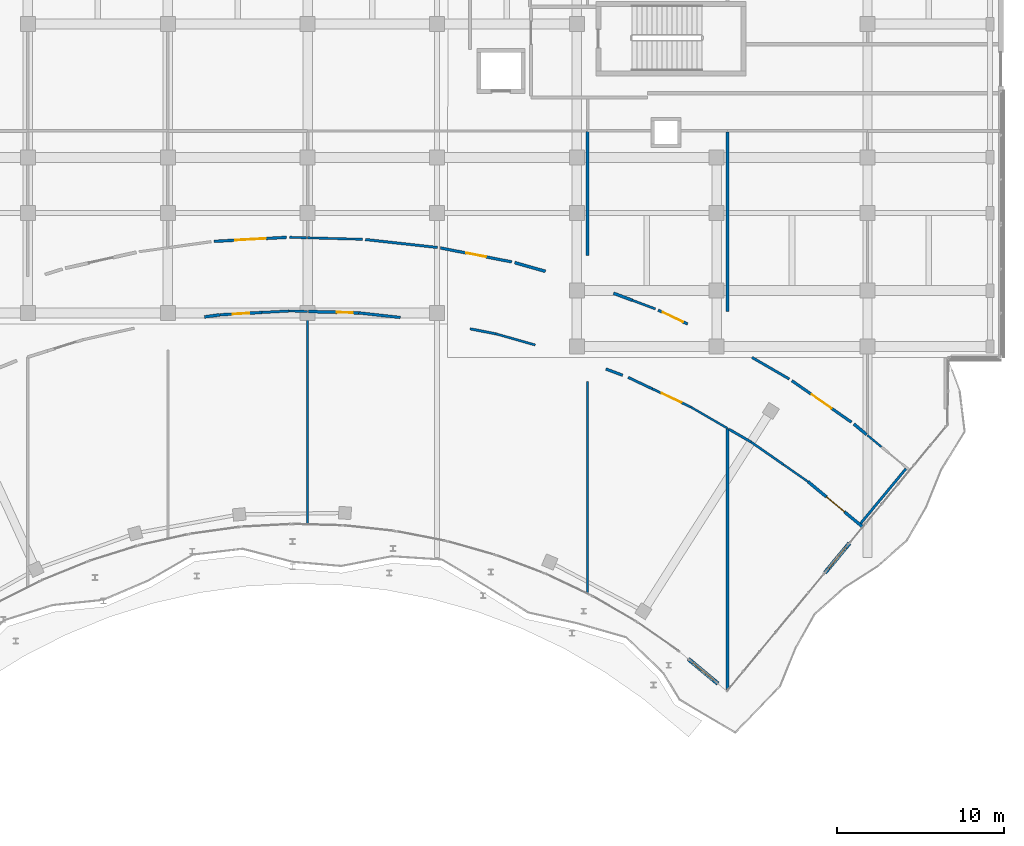
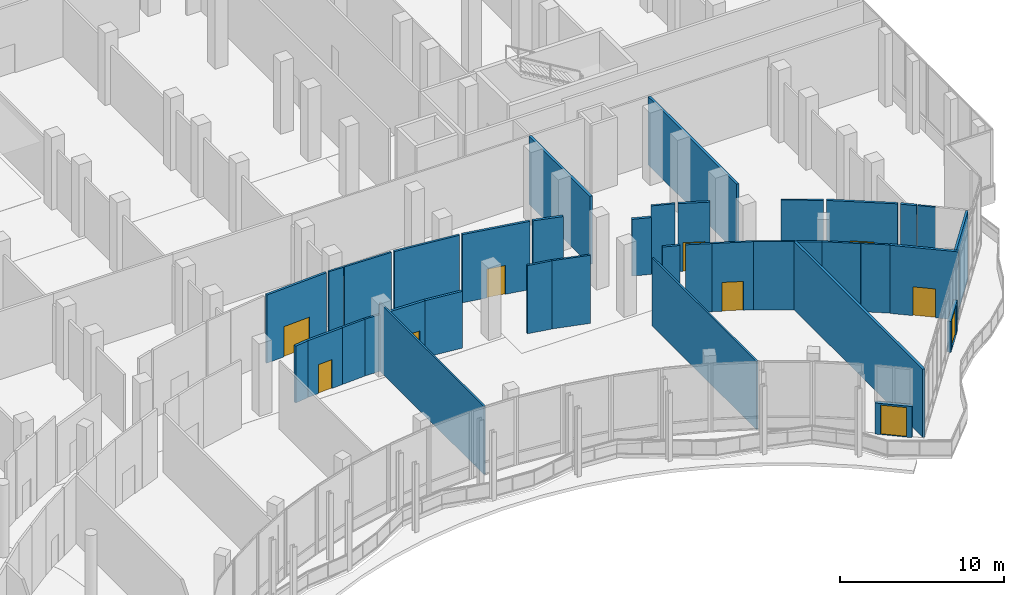
# One storey, part 143 of 158: 37 walls, 10 doors, 10 openings.
"""IFC4 building model written with IfcOpenShell, lengths in metres."""

from ifc_helpers import new_model, si_unit, direction, frame, frame_2d, origin, place, context, subcontext, project, spatial, rectangle, extrude, material, layer, layer_set, type_object, element, fill, save


model = new_model("IFC4")

# Units and contexts
model_context = context("Model", 3, precision=1e-05, world=origin(), true_north=direction((0.0, 1.0)))
body_context = subcontext(model_context, "Body", "Model", "MODEL_VIEW")
ifc_project = project(units=[si_unit("LENGTHUNIT", "METRE"), si_unit("AREAUNIT", "SQUARE_METRE"), si_unit("VOLUMEUNIT", "CUBIC_METRE"), si_unit("PLANEANGLEUNIT", "RADIAN"), si_unit("MASSUNIT", "GRAM", prefix="KILO")], contexts=[model_context])

# Site, building, storey
site_placement = place(None, origin())
site = spatial("IfcSite", under=ifc_project, at=site_placement, CompositionType="ELEMENT")
building_placement = place(site_placement, origin())
building = spatial("IfcBuilding", under=site, at=building_placement, Name="Selatvlak General Hospital", CompositionType="ELEMENT")
storey_placement = place(building_placement, origin())
storey = spatial("IfcBuildingStorey", under=building, at=storey_placement, Name="L00", CompositionType="ELEMENT", Elevation=0.0)

# Wall, opening, door
ifc_material_1 = material(Name="Precast concrete C40/50 - white fair-faced", Category="concrete")
ifc_layer_1 = layer(ifc_material_1, 0.239990234375, Name="Precast concrete C40/50 - white fair-faced", Category="concrete")
ifc_layer_set_1 = layer_set([ifc_layer_1], Name="Precast concrete C40/50 - white fair-faced")
wall_type_1 = type_object("IfcWallType", Name="WALL-EW-04", PredefinedType="SOLIDWALL", material=ifc_layer_set_1)
wall_1_placement = place(storey_placement, frame((172.9150390625, 52.842041015625, 0.0), z_axis=(0.0, 0.0, 1.0), x_axis=(-0.637926137679, -0.770097554123, 0.0)))
wall_1 = element("IfcWall", 1, at=wall_1_placement, inside=storey, type_object=wall_type_1, Name="L00 S-curve glazed balcony door frame 0177", PredefinedType="SOLIDWALL", context=body_context, shape_type="SweptSolid", body=[
    extrude(rectangle(XDim=2.2998046875, YDim=0.239990234375, at=frame_2d((1.14990234375, 0.0))), origin(), (0.0, 0.0, 1.0), 2.320068359375),
])
opening_1_placement = place(wall_1_placement, frame((0.35009765625, 0.0, 0.0)))
opening_1 = element("IfcOpeningElement", 2, at=opening_1_placement, cuts=wall_1, Name="Opening DE-05", PredefinedType="OPENING", context=body_context, shape_type="SweptSolid", body=[
    extrude(rectangle(XDim=1.60009765625, YDim=2.199951171875, at=frame_2d((0.800048828125, 1.10009765625))), frame((0.0, 0.1298828125, 0.0), z_axis=(0.0, -1.0, 0.0), x_axis=(1.0, 0.0, 0.0)), (0.0, 0.0, 1.0), 0.260009765625),
])
ifc_material_2 = material(Name="Anodised aluminium balcony double door", Category="aluminium")
door_type_1 = type_object("IfcDoorType", Name="DOOR-DE-05", OperationType="DOUBLE_DOOR_SINGLE_SWING", PredefinedType="DOOR", material=ifc_material_2)
door_1_placement = place(opening_1_placement, origin())
door_1 = element("IfcDoor", 3, at=door_1_placement, inside=storey, type_object=door_type_1, Name="L00 clinic balcony double door 17", OperationType="DOUBLE_DOOR_SINGLE_SWING", OverallHeight=2.199951171875, OverallWidth=1.60009765625, PredefinedType="DOOR", context=body_context, shape_type="SweptSolid", body=[
    extrude(rectangle(XDim=1.60009765625, YDim=2.199951171875, at=frame_2d((0.800048828125, 1.10009765625))), frame((0.0, 0.02490234375, 0.0), z_axis=(0.0, -1.0, 0.0), x_axis=(1.0, 0.0, 0.0)), (0.0, 0.0, 1.0), 0.050048828125),
])
fill(opening_1, door_1)

wall_2_placement = place(storey_placement, frame((165.013916015625, 44.4208984375, 0.0), z_axis=(0.0, 0.0, 1.0), x_axis=(-0.768438701021, 0.639923403833, 0.0)))
wall_2 = element("IfcWall", 4, at=wall_2_placement, inside=storey, type_object=wall_type_1, Name="L00 S-curve glazed balcony door frame 0178", PredefinedType="SOLIDWALL", context=body_context, shape_type="SweptSolid", body=[
    extrude(rectangle(XDim=2.300537109375, YDim=0.239990234375, at=frame_2d((1.150390625, 0.0))), origin(), (0.0, 0.0, 1.0), 2.320068359375),
])
opening_2_placement = place(wall_2_placement, frame((0.35009765625, 0.0, 0.0)))
opening_2 = element("IfcOpeningElement", 5, at=opening_2_placement, cuts=wall_2, Name="Opening DE-05", PredefinedType="OPENING", context=body_context, shape_type="SweptSolid", body=[
    extrude(rectangle(XDim=1.60009765625, YDim=2.199951171875, at=frame_2d((0.800048828125, 1.10009765625))), frame((0.0, 0.1298828125, 0.0), z_axis=(0.0, -1.0, 0.0), x_axis=(1.0, 0.0, 0.0)), (0.0, 0.0, 1.0), 0.260009765625),
])
door_2_placement = place(opening_2_placement, origin())
door_2 = element("IfcDoor", 6, at=door_2_placement, inside=storey, type_object=door_type_1, Name="L00 clinic balcony double door 18", OperationType="DOUBLE_DOOR_SINGLE_SWING", OverallHeight=2.199951171875, OverallWidth=1.60009765625, PredefinedType="DOOR", context=body_context, shape_type="SweptSolid", body=[
    extrude(rectangle(XDim=1.60009765625, YDim=2.199951171875, at=frame_2d((0.800048828125, 1.10009765625))), frame((0.0, 0.02490234375, 0.0), z_axis=(0.0, -1.0, 0.0), x_axis=(1.0, 0.0, 0.0)), (0.0, 0.0, 1.0), 0.050048828125),
])
fill(opening_2, door_2)

# Wall
ifc_material_3 = material(Name="Acoustic gypsum stud partition")
ifc_layer_2 = layer(ifc_material_3, 0.179931640625, Name="Acoustic gypsum stud partition")
ifc_layer_set_2 = layer_set([ifc_layer_2], Name="Acoustic gypsum stud partition")
wall_type_2 = type_object("IfcWallType", Name="WALL-PT-01", PredefinedType="PARTITIONING", material=ifc_layer_set_2)
wall_3_placement = place(storey_placement, frame((134.197998046875, 66.422119140625, 0.0), z_axis=(0.0, 0.0, 1.0), x_axis=(0.990306582214, 0.138898787698, 0.0)))
element("IfcWall", 7, at=wall_3_placement, inside=storey, type_object=wall_type_2, Name="L00 clinical partition PT-L00-0560", PredefinedType="PARTITIONING", context=body_context, shape_type="SweptSolid", body=[
    extrude(rectangle(XDim=0.93505859375, YDim=0.179931640625, at=frame_2d((0.467529296875, 0.0))), origin(), (0.0, 0.0, 1.0), 4.22998046875),
])

# Wall, opening, door
wall_4_placement = place(storey_placement, frame((140.4560546875, 66.7509765625, 0.0), z_axis=(0.0, 0.0, 1.0), x_axis=(0.999619161953, -0.027595852149, 0.0)))
wall_4 = element("IfcWall", 8, at=wall_4_placement, inside=storey, type_object=wall_type_2, Name="L00 clinical partition PT-L00-0570", PredefinedType="PARTITIONING", context=body_context, shape_type="SweptSolid", body=[
    extrude(rectangle(XDim=3.008056640625, YDim=0.179931640625, at=frame_2d((1.50390625, 0.0))), origin(), (0.0, 0.0, 1.0), 4.22998046875),
])
opening_3_placement = place(wall_4_placement, frame((1.69091796875, 0.0, 0.0)))
opening_3 = element("IfcOpeningElement", 9, at=opening_3_placement, cuts=wall_4, Name="Opening D-02", PredefinedType="OPENING", context=body_context, shape_type="SweptSolid", body=[
    extrude(rectangle(XDim=0.949951171875, YDim=2.10009765625, at=frame_2d((0.47509765625, 1.050048828125))), frame((0.0, 0.099853515625, 0.0), z_axis=(0.0, -1.0, 0.0), x_axis=(1.0, 0.0, 0.0)), (0.0, 0.0, 1.0), 0.199951171875),
])
ifc_material_4 = material(Name="Moisture-resistant en-suite door")
door_type_2 = type_object("IfcDoorType", Name="DOOR-D-02", OperationType="NOTDEFINED", PredefinedType="DOOR", material=ifc_material_4)
door_3_placement = place(opening_3_placement, origin())
door_3 = element("IfcDoor", 10, at=door_3_placement, inside=storey, type_object=door_type_2, Name="L00 CT Scanner Diagnostic Room 34 door", OperationType="SINGLE_SWING_RIGHT", OverallHeight=2.10009765625, OverallWidth=0.949951171875, PredefinedType="DOOR", context=body_context, shape_type="SweptSolid", body=[
    extrude(rectangle(XDim=0.949951171875, YDim=2.10009765625, at=frame_2d((0.47509765625, 1.050048828125))), frame((0.0, 0.02490234375, 0.0), z_axis=(0.0, -1.0, 0.0), x_axis=(1.0, 0.0, 0.0)), (0.0, 0.0, 1.0), 0.050048828125),
])
fill(opening_3, door_3)

# Walls
wall_5_placement = place(storey_placement, frame((154.672119140625, 69.159912109375, 0.0), z_axis=(0.0, 0.0, 1.0), x_axis=(-0.962054472446, 0.272857457377, 0.0)))
element("IfcWall", 11, at=wall_5_placement, inside=storey, type_object=wall_type_2, Name="L00 clinical partition PT-L00-0575", PredefinedType="PARTITIONING", context=body_context, shape_type="SweptSolid", body=[
    extrude(rectangle(XDim=1.921142578125, YDim=0.179931640625, at=frame_2d((0.96044921875, 0.0))), origin(), (0.0, 0.0, 1.0), 5.080078125),
])
wall_6_placement = place(storey_placement, frame((157.199951171875, 77.5439453125, 0.0), z_axis=(0.0, 0.0, 1.0), x_axis=(0.0, -1.0, 0.0)))
element("IfcWall", 12, at=wall_6_placement, inside=storey, type_object=wall_type_2, Name="L00 clinical partition PT-L00-0580", PredefinedType="PARTITIONING", context=body_context, shape_type="SweptSolid", body=[
    extrude(rectangle(XDim=7.431884765625, YDim=0.179931640625, at=frame_2d((3.7158203125, 0.0))), origin(), (0.0, 0.0, 1.0), 5.080078125),
])
wall_7_placement = place(storey_placement, frame((165.60009765625, 59.736083984375, 0.0), z_axis=(0.0, 0.0, 1.0), x_axis=(0.0, -1.0, 0.0)))
element("IfcWall", 13, at=wall_7_placement, inside=storey, type_object=wall_type_2, Name="L00 clinical partition PT-L00-0585", PredefinedType="PARTITIONING", context=body_context, shape_type="SweptSolid", body=[
    extrude(rectangle(XDim=15.710205078125, YDim=0.179931640625, at=frame_2d((7.85498046875, 0.0))), origin(), (0.0, 0.0, 1.0), 5.080078125),
])
wall_8_placement = place(storey_placement, frame((159.87890625, 67.427001953125, 0.0), z_axis=(0.0, 0.0, 1.0), x_axis=(-0.936095416468, 0.351746174488, 0.0)))
element("IfcWall", 14, at=wall_8_placement, inside=storey, type_object=wall_type_2, Name="L00 clinical partition PT-L00-0588", PredefinedType="PARTITIONING", context=body_context, shape_type="SweptSolid", body=[
    extrude(rectangle(XDim=1.202880859375, YDim=0.179931640625, at=frame_2d((0.6015625, 0.0))), origin(), (0.0, 0.0, 1.0), 4.22998046875),
])
wall_9_placement = place(storey_placement, frame((165.60009765625, 77.535888671875, 0.0), z_axis=(0.0, 0.0, 1.0), x_axis=(0.0, -1.0, 0.0)))
element("IfcWall", 15, at=wall_9_placement, inside=storey, type_object=wall_type_2, Name="L00 clinical partition PT-L00-0591", PredefinedType="PARTITIONING", context=body_context, shape_type="SweptSolid", body=[
    extrude(rectangle(XDim=10.77392578125, YDim=0.179931640625, at=frame_2d((5.386962890625, 0.0))), origin(), (0.0, 0.0, 1.0), 5.080078125),
])

# Wall, opening, door
wall_10_placement = place(storey_placement, frame((170.43408203125, 56.532958984375, 0.0), z_axis=(0.0, 0.0, 1.0), x_axis=(0.770184287696, -0.637821419353, 0.0)))
wall_10 = element("IfcWall", 16, at=wall_10_placement, inside=storey, type_object=wall_type_2, Name="L00 clinical partition PT-L00-0595", PredefinedType="PARTITIONING", context=body_context, shape_type="SweptSolid", body=[
    extrude(rectangle(XDim=4.25341796875, YDim=0.179931640625, at=frame_2d((2.126708984375, 0.0))), origin(), (0.0, 0.0, 1.0), 5.080078125),
])
opening_4_placement = place(wall_10_placement, frame((1.427001953125, 0.0, 0.0)))
opening_4 = element("IfcOpeningElement", 17, at=opening_4_placement, cuts=wall_10, Name="Opening D-11", PredefinedType="OPENING", context=body_context, shape_type="SweptSolid", body=[
    extrude(rectangle(XDim=1.39990234375, YDim=2.14990234375, at=frame_2d((0.699951171875, 1.074951171875))), frame((0.0, 0.099853515625, 0.0), z_axis=(0.0, -1.0, 0.0), x_axis=(1.0, 0.0, 0.0)), (0.0, 0.0, 1.0), 0.199951171875),
])
ifc_material_5 = material(Name="Inpatient suite bed door")
door_type_3 = type_object("IfcDoorType", Name="DOOR-D-11", OperationType="NOTDEFINED", PredefinedType="DOOR", material=ifc_material_5)
door_4_placement = place(opening_4_placement, origin())
door_4 = element("IfcDoor", 18, at=door_4_placement, inside=storey, type_object=door_type_3, Name="L00 Dental Maxillofacial Clinic 38 door", OperationType="SINGLE_SWING_RIGHT", OverallHeight=2.14990234375, OverallWidth=1.39990234375, PredefinedType="DOOR", context=body_context, shape_type="SweptSolid", body=[
    extrude(rectangle(XDim=1.39990234375, YDim=2.14990234375, at=frame_2d((0.699951171875, 1.074951171875))), frame((0.0, 0.02490234375, 0.0), z_axis=(0.0, -1.0, 0.0), x_axis=(1.0, 0.0, 0.0)), (0.0, 0.0, 1.0), 0.050048828125),
])
fill(opening_4, door_4)

# Wall
wall_11_placement = place(storey_placement, frame((173.944091796875, 59.364990234375, 0.0), z_axis=(0.0, 0.0, 1.0), x_axis=(-0.769737243157, 0.638360851319, 0.0)))
element("IfcWall", 19, at=wall_11_placement, inside=storey, type_object=wall_type_2, Name="L00 clinical partition PT-L00-0600", PredefinedType="PARTITIONING", context=body_context, shape_type="SweptSolid", body=[
    extrude(rectangle(XDim=0.988525390625, YDim=0.179931640625, at=frame_2d((0.494140625, 0.0))), origin(), (0.0, 0.0, 1.0), 5.080078125),
])

# Wall, opening, door
ifc_layer_3 = layer(ifc_material_3, 0.1650390625, Name="Acoustic gypsum stud partition")
ifc_layer_set_3 = layer_set([ifc_layer_3], Name="Acoustic gypsum stud partition")
wall_type_3 = type_object("IfcWallType", Name="WALL-PT-02", PredefinedType="PARTITIONING", material=ifc_layer_set_3)
wall_12_placement = place(storey_placement, frame((135.1240234375, 66.552001953125, 0.0), z_axis=(0.0, 0.0, 1.0), x_axis=(0.998455321002, 0.055560525228, 0.0)))
wall_12 = element("IfcWall", 20, at=wall_12_placement, inside=storey, type_object=wall_type_3, Name="L00 clinical partition PT-L00-0561", PredefinedType="PARTITIONING", context=body_context, shape_type="SweptSolid", body=[
    extrude(rectangle(XDim=2.539794921875, YDim=0.1650390625, at=frame_2d((1.27001953125, 0.0))), origin(), (0.0, 0.0, 1.0), 4.22998046875),
])
opening_5_placement = place(wall_12_placement, frame((0.77001953125, 0.0, 0.0)))
opening_5 = element("IfcOpeningElement", 21, at=opening_5_placement, cuts=wall_12, Name="Opening D-21", PredefinedType="OPENING", context=body_context, shape_type="SweptSolid", body=[
    extrude(rectangle(XDim=1.0, YDim=2.14990234375, at=frame_2d((0.5, 1.074951171875))), frame((0.0, 0.092529296875, 0.0), z_axis=(0.0, -1.0, 0.0), x_axis=(1.0, 0.0, 0.0)), (0.0, 0.0, 1.0), 0.18505859375),
])
ifc_material_6 = material(Name="Laboratory fire door")
door_type_4 = type_object("IfcDoorType", Name="DOOR-D-21", OperationType="NOTDEFINED", PredefinedType="DOOR", material=ifc_material_6)
door_5_placement = place(opening_5_placement, origin())
door_5 = element("IfcDoor", 22, at=door_5_placement, inside=storey, type_object=door_type_4, Name="L00 Diagnostic Radiography Suite 32 door", OperationType="SINGLE_SWING_LEFT", OverallHeight=2.14990234375, OverallWidth=1.0, PredefinedType="DOOR", context=body_context, shape_type="SweptSolid", body=[
    extrude(rectangle(XDim=1.0, YDim=2.14990234375, at=frame_2d((0.5, 1.074951171875))), frame((0.0, 0.02490234375, 0.0), z_axis=(0.0, -1.0, 0.0), x_axis=(1.0, 0.0, 0.0)), (0.0, 0.0, 1.0), 0.050048828125),
])
fill(opening_5, door_5)

wall_13_placement = place(storey_placement, frame((139.135986328125, 71.201904296875, 0.0), z_axis=(0.0, 0.0, 1.0), x_axis=(-0.998456902881, -0.055532090625, 0.0)))
wall_13 = element("IfcWall", 23, at=wall_13_placement, inside=storey, type_object=wall_type_3, Name="L00 clinical partition PT-L00-0565", PredefinedType="PARTITIONING", context=body_context, shape_type="SweptSolid", body=[
    extrude(rectangle(XDim=4.35693359375, YDim=0.1650390625, at=frame_2d((2.178466796875, 0.0))), origin(), (0.0, 0.0, 1.0), 5.080078125),
])
opening_6_placement = place(wall_13_placement, frame((1.2529296875, 0.0, 0.0)))
opening_6 = element("IfcOpeningElement", 24, at=opening_6_placement, cuts=wall_13, Name="Opening D-20", PredefinedType="OPENING", context=body_context, shape_type="SweptSolid", body=[
    extrude(rectangle(XDim=1.85009765625, YDim=2.25, at=frame_2d((0.925048828125, 1.125))), frame((0.0, 0.092529296875, 0.0), z_axis=(0.0, -1.0, 0.0), x_axis=(1.0, 0.0, 0.0)), (0.0, 0.0, 1.0), 0.18505859375),
])
ifc_material_7 = material(Name="MRI RF-shielded sliding door")
door_type_5 = type_object("IfcDoorType", Name="DOOR-D-20", OperationType="DOUBLE_DOOR_SLIDING", PredefinedType="DOOR", material=ifc_material_7)
door_6_placement = place(opening_6_placement, origin())
door_6 = element("IfcDoor", 25, at=door_6_placement, inside=storey, type_object=door_type_5, Name="L00 MRI Diagnostic Imaging Suite 33 door", OperationType="DOUBLE_DOOR_SLIDING", OverallHeight=2.25, OverallWidth=1.85009765625, PredefinedType="DOOR", context=body_context, shape_type="SweptSolid", body=[
    extrude(rectangle(XDim=1.85009765625, YDim=2.25, at=frame_2d((0.925048828125, 1.125))), frame((0.0, 0.02490234375, 0.0), z_axis=(0.0, -1.0, 0.0), x_axis=(1.0, 0.0, 0.0)), (0.0, 0.0, 1.0), 0.050048828125),
])
fill(opening_6, door_6)

# Wall
wall_14_placement = place(storey_placement, frame((143.462890625, 66.66796875, 0.0), z_axis=(0.0, 0.0, 1.0), x_axis=(0.993938191899, -0.109940305095, 0.0)))
element("IfcWall", 26, at=wall_14_placement, inside=storey, type_object=wall_type_3, Name="L00 clinical partition PT-L00-0571", PredefinedType="PARTITIONING", context=body_context, shape_type="SweptSolid", body=[
    extrude(rectangle(XDim=2.50927734375, YDim=0.1650390625, at=frame_2d((1.254638671875, 0.0))), origin(), (0.0, 0.0, 1.0), 4.22998046875),
])

# Wall, opening, door
wall_15_placement = place(storey_placement, frame((152.64599609375, 69.72705078125, 0.0), z_axis=(0.0, 0.0, 1.0), x_axis=(-0.981378420513, 0.19208434541, 0.0)))
wall_15 = element("IfcWall", 27, at=wall_15_placement, inside=storey, type_object=wall_type_3, Name="L00 clinical partition PT-L00-0576", PredefinedType="PARTITIONING", context=body_context, shape_type="SweptSolid", body=[
    extrude(rectangle(XDim=4.35693359375, YDim=0.1650390625, at=frame_2d((2.178466796875, 0.0))), origin(), (0.0, 0.0, 1.0), 5.080078125),
])
opening_7_placement = place(wall_15_placement, frame((1.5791015625, 0.0, 0.0)))
opening_7 = element("IfcOpeningElement", 28, at=opening_7_placement, cuts=wall_15, Name="Opening D-07", PredefinedType="OPENING", context=body_context, shape_type="SweptSolid", body=[
    extrude(rectangle(XDim=1.199951171875, YDim=2.14990234375, at=frame_2d((0.60009765625, 1.074951171875))), frame((0.0, 0.092529296875, 0.0), z_axis=(0.0, -1.0, 0.0), x_axis=(1.0, 0.0, 0.0)), (0.0, 0.0, 1.0), 0.18505859375),
])
ifc_material_8 = material(Name="Plant and store fire door")
door_type_6 = type_object("IfcDoorType", Name="DOOR-D-07", OperationType="NOTDEFINED", PredefinedType="DOOR", material=ifc_material_8)
door_7_placement = place(opening_7_placement, origin())
door_7 = element("IfcDoor", 29, at=door_7_placement, inside=storey, type_object=door_type_6, Name="L00 Nuclear Medicine Fluoroscopy Room 35 door", OperationType="SINGLE_SWING_LEFT", OverallHeight=2.14990234375, OverallWidth=1.199951171875, PredefinedType="DOOR", context=body_context, shape_type="SweptSolid", body=[
    extrude(rectangle(XDim=1.199951171875, YDim=2.14990234375, at=frame_2d((0.60009765625, 1.074951171875))), frame((0.0, 0.02490234375, 0.0), z_axis=(0.0, -1.0, 0.0), x_axis=(1.0, 0.0, 0.0)), (0.0, 0.0, 1.0), 0.050048828125),
])
fill(opening_7, door_7)

# Wall
wall_16_placement = place(storey_placement, frame((158.297119140625, 63.300048828125, 0.0), z_axis=(0.0, 0.0, 1.0), x_axis=(0.936068241983, -0.351818484947, 0.0)))
element("IfcWall", 30, at=wall_16_placement, inside=storey, type_object=wall_type_3, Name="L00 clinical partition PT-L00-0581", PredefinedType="PARTITIONING", context=body_context, shape_type="SweptSolid", body=[
    extrude(rectangle(XDim=1.07763671875, YDim=0.1650390625, at=frame_2d((0.538818359375, 0.0))), origin(), (0.0, 0.0, 1.0), 5.080078125),
])

# Wall, opening, door
wall_17_placement = place(storey_placement, frame((163.200927734375, 65.9970703125, 0.0), z_axis=(0.0, 0.0, 1.0), x_axis=(-0.903658874167, 0.428253008325, 0.0)))
wall_17 = element("IfcWall", 31, at=wall_17_placement, inside=storey, type_object=wall_type_3, Name="L00 clinical partition PT-L00-0586", PredefinedType="PARTITIONING", context=body_context, shape_type="SweptSolid", body=[
    extrude(rectangle(XDim=1.951904296875, YDim=0.1650390625, at=frame_2d((0.97607421875, 0.0))), origin(), (0.0, 0.0, 1.0), 5.080078125),
])
opening_8_placement = place(wall_17_placement, frame((0.301025390625, 0.0, 0.0)))
opening_8 = element("IfcOpeningElement", 32, at=opening_8_placement, cuts=wall_17, Name="Opening D-10", PredefinedType="OPENING", context=body_context, shape_type="SweptSolid", body=[
    extrude(rectangle(XDim=1.35009765625, YDim=2.14990234375, at=frame_2d((0.675048828125, 1.074951171875))), frame((0.0, 0.092529296875, 0.0), z_axis=(0.0, -1.0, 0.0), x_axis=(1.0, 0.0, 0.0)), (0.0, 0.0, 1.0), 0.18505859375),
])
ifc_material_9 = material(Name="Single patient bed door")
door_type_7 = type_object("IfcDoorType", Name="DOOR-D-10", OperationType="NOTDEFINED", PredefinedType="DOOR", material=ifc_material_9)
door_8_placement = place(opening_8_placement, origin())
door_8 = element("IfcDoor", 33, at=door_8_placement, inside=storey, type_object=door_type_7, Name="L00 MRI Diagnostic Imaging Suite 37 door", OperationType="SINGLE_SWING_LEFT", OverallHeight=2.14990234375, OverallWidth=1.35009765625, PredefinedType="DOOR", context=body_context, shape_type="SweptSolid", body=[
    extrude(rectangle(XDim=1.35009765625, YDim=2.14990234375, at=frame_2d((0.675048828125, 1.074951171875))), frame((0.0, 0.02490234375, 0.0), z_axis=(0.0, -1.0, 0.0), x_axis=(1.0, 0.0, 0.0)), (0.0, 0.0, 1.0), 0.050048828125),
])
fill(opening_8, door_8)

wall_18_placement = place(storey_placement, frame((173.035888671875, 60.10693359375, 0.0), z_axis=(0.0, 0.0, 1.0), x_axis=(-0.820574971601, 0.571538901547, 0.0)))
wall_18 = element("IfcWall", 34, at=wall_18_placement, inside=storey, type_object=wall_type_3, Name="L00 clinical partition PT-L00-0596", PredefinedType="PARTITIONING", context=body_context, shape_type="SweptSolid", body=[
    extrude(rectangle(XDim=4.356689453125, YDim=0.1650390625, at=frame_2d((2.17822265625, 0.0))), origin(), (0.0, 0.0, 1.0), 5.080078125),
])
opening_9_placement = place(wall_18_placement, frame((1.452880859375, 0.0, 0.0)))
opening_9 = element("IfcOpeningElement", 35, at=opening_9_placement, cuts=wall_18, Name="Opening D-12", PredefinedType="OPENING", context=body_context, shape_type="SweptSolid", body=[
    extrude(rectangle(XDim=1.449951171875, YDim=2.14990234375, at=frame_2d((0.72509765625, 1.074951171875))), frame((0.0, 0.092529296875, 0.0), z_axis=(0.0, -1.0, 0.0), x_axis=(1.0, 0.0, 0.0)), (0.0, 0.0, 1.0), 0.18505859375),
])
ifc_material_10 = material(Name="Isolation anteroom door")
door_type_8 = type_object("IfcDoorType", Name="DOOR-D-12", OperationType="NOTDEFINED", PredefinedType="DOOR", material=ifc_material_10)
door_9_placement = place(opening_9_placement, origin())
door_9 = element("IfcDoor", 36, at=door_9_placement, inside=storey, type_object=door_type_8, Name="L00 Nuclear Medicine Fluoroscopy Room 39 door", OperationType="SINGLE_SWING_LEFT", OverallHeight=2.14990234375, OverallWidth=1.449951171875, PredefinedType="DOOR", context=body_context, shape_type="SweptSolid", body=[
    extrude(rectangle(XDim=1.449951171875, YDim=2.14990234375, at=frame_2d((0.72509765625, 1.074951171875))), frame((0.0, 0.02490234375, 0.0), z_axis=(0.0, -1.0, 0.0), x_axis=(1.0, 0.0, 0.0)), (0.0, 0.0, 1.0), 0.050048828125),
])
fill(opening_9, door_9)

# Walls
ifc_layer_4 = layer(ifc_material_3, 0.14990234375, Name="Acoustic gypsum stud partition")
ifc_layer_set_4 = layer_set([ifc_layer_4], Name="Acoustic gypsum stud partition")
wall_type_4 = type_object("IfcWallType", Name="WALL-PT-03", PredefinedType="PARTITIONING", material=ifc_layer_set_4)
wall_19_placement = place(storey_placement, frame((137.659912109375, 66.693115234375, 0.0), z_axis=(0.0, 0.0, 1.0), x_axis=(0.998484643385, 0.055031054181, 0.0)))
element("IfcWall", 37, at=wall_19_placement, inside=storey, type_object=wall_type_4, Name="L00 clinical partition PT-L00-0562", PredefinedType="PARTITIONING", context=body_context, shape_type="SweptSolid", body=[
    extrude(rectangle(XDim=1.632568359375, YDim=0.14990234375, at=frame_2d((0.81640625, 0.0))), origin(), (0.0, 0.0, 1.0), 4.22998046875),
])
wall_20_placement = place(storey_placement, frame((150.14794921875, 65.7119140625, 0.0), z_axis=(0.0, 0.0, 1.0), x_axis=(0.981382574588, -0.192063120599, 0.0)))
element("IfcWall", 38, at=wall_20_placement, inside=storey, type_object=wall_type_4, Name="L00 clinical partition PT-L00-0572", PredefinedType="PARTITIONING", context=body_context, shape_type="SweptSolid", body=[
    extrude(rectangle(XDim=1.587646484375, YDim=0.14990234375, at=frame_2d((0.7939453125, 0.0))), origin(), (0.0, 0.0, 1.0), 5.080078125),
])
wall_21_placement = place(storey_placement, frame((148.18798828125, 70.592041015625, 0.0), z_axis=(0.0, 0.0, 1.0), x_axis=(-0.99391240414, 0.110173195001, 0.0)))
element("IfcWall", 39, at=wall_21_placement, inside=storey, type_object=wall_type_4, Name="L00 clinical partition PT-L00-0577", PredefinedType="PARTITIONING", context=body_context, shape_type="SweptSolid", body=[
    extrude(rectangle(XDim=4.356689453125, YDim=0.14990234375, at=frame_2d((2.17822265625, 0.0))), origin(), (0.0, 0.0, 1.0), 5.080078125),
])
wall_22_placement = place(storey_placement, frame((159.6279296875, 62.800048828125, 0.0), z_axis=(0.0, 0.0, 1.0), x_axis=(0.903459666256, -0.428673105581, 0.0)))
element("IfcWall", 40, at=wall_22_placement, inside=storey, type_object=wall_type_4, Name="L00 clinical partition PT-L00-0582", PredefinedType="PARTITIONING", context=body_context, shape_type="SweptSolid", body=[
    extrude(rectangle(XDim=1.609375, YDim=0.14990234375, at=frame_2d((0.8046875, 0.0))), origin(), (0.0, 0.0, 1.0), 5.080078125),
])
wall_23_placement = place(storey_placement, frame((165.68603515625, 59.68603515625, 0.0), z_axis=(0.0, 0.0, 1.0), x_axis=(0.864985497408, -0.501796860565, 0.0)))
element("IfcWall", 41, at=wall_23_placement, inside=storey, type_object=wall_type_4, Name="L00 clinical partition PT-L00-0592", PredefinedType="PARTITIONING", context=body_context, shape_type="SweptSolid", body=[
    extrude(rectangle(XDim=1.530517578125, YDim=0.14990234375, at=frame_2d((0.76513671875, 0.0))), origin(), (0.0, 0.0, 1.0), 5.080078125),
])
wall_24_placement = place(storey_placement, frame((169.306884765625, 62.696044921875, 0.0), z_axis=(0.0, 0.0, 1.0), x_axis=(-0.86512994763, 0.501547778097, 0.0)))
element("IfcWall", 42, at=wall_24_placement, inside=storey, type_object=wall_type_4, Name="L00 clinical partition PT-L00-0597", PredefinedType="PARTITIONING", context=body_context, shape_type="SweptSolid", body=[
    extrude(rectangle(XDim=2.595947265625, YDim=0.14990234375, at=frame_2d((1.2978515625, 0.0))), origin(), (0.0, 0.0, 1.0), 5.080078125),
])
wall_25_placement = place(storey_placement, frame((173.589111328125, 54.031982421875, 0.0), z_axis=(0.0, 0.0, 1.0), x_axis=(0.637765261242, 0.770230791096, 0.0)))
element("IfcWall", 43, at=wall_25_placement, inside=storey, type_object=wall_type_4, Name="L00 clinical partition PT-L00-0602", PredefinedType="PARTITIONING", context=body_context, shape_type="SweptSolid", body=[
    extrude(rectangle(XDim=4.27392578125, YDim=0.14990234375, at=frame_2d((2.136962890625, 0.0))), origin(), (0.0, 0.0, 1.0), 5.080078125),
])
ifc_material_11 = material(Name="Moisture-resistant clinical partition")
ifc_layer_5 = layer(ifc_material_11, 0.135009765625, Name="Moisture-resistant clinical partition")
ifc_layer_set_5 = layer_set([ifc_layer_5], Name="Moisture-resistant clinical partition")
wall_type_5 = type_object("IfcWallType", Name="WALL-PT-04", PredefinedType="PARTITIONING", material=ifc_layer_set_5)
wall_26_placement = place(storey_placement, frame((139.2900390625, 66.782958984375, 0.0), z_axis=(0.0, 0.0, 1.0), x_axis=(0.999634166902, -0.027046854934, 0.0)))
element("IfcWall", 44, at=wall_26_placement, inside=storey, type_object=wall_type_5, Name="L00 clinical partition PT-L00-0563", PredefinedType="PARTITIONING", context=body_context, shape_type="SweptSolid", body=[
    extrude(rectangle(XDim=1.1103515625, YDim=0.135009765625, at=frame_2d((0.55517578125, 0.0))), origin(), (0.0, 0.0, 1.0), 4.22998046875),
])
wall_27_placement = place(storey_placement, frame((140.322021484375, 71.176025390625, 0.0), z_axis=(0.0, 0.0, 1.0), x_axis=(-0.999607630432, 0.028010447734, 0.0)))
element("IfcWall", 45, at=wall_27_placement, inside=storey, type_object=wall_type_5, Name="L00 clinical partition PT-L00-0569", PredefinedType="PARTITIONING", context=body_context, shape_type="SweptSolid", body=[
    extrude(rectangle(XDim=1.00244140625, YDim=0.135009765625, at=frame_2d((0.501220703125, 0.0))), origin(), (0.0, 0.0, 1.0), 5.080078125),
])
wall_28_placement = place(storey_placement, frame((151.7060546875, 65.406982421875, 0.0), z_axis=(0.0, 0.0, 1.0), x_axis=(0.962043159464, -0.272897342104, 0.0)))
element("IfcWall", 46, at=wall_28_placement, inside=storey, type_object=wall_type_5, Name="L00 clinical partition PT-L00-0573", PredefinedType="PARTITIONING", context=body_context, shape_type="SweptSolid", body=[
    extrude(rectangle(XDim=2.4404296875, YDim=0.135009765625, at=frame_2d((1.22021484375, 0.0))), origin(), (0.0, 0.0, 1.0), 5.080078125),
])
wall_29_placement = place(storey_placement, frame((143.676025390625, 71.083984375, 0.0), z_axis=(0.0, 0.0, 1.0), x_axis=(-0.999622135389, 0.02748793263, 0.0)))
element("IfcWall", 47, at=wall_29_placement, inside=storey, type_object=wall_type_5, Name="L00 clinical partition PT-L00-0578", PredefinedType="PARTITIONING", context=body_context, shape_type="SweptSolid", body=[
    extrude(rectangle(XDim=3.27734375, YDim=0.135009765625, at=frame_2d((1.638671875, 0.0))), origin(), (0.0, 0.0, 1.0), 5.080078125),
])

# Wall, opening, door
wall_30_placement = place(storey_placement, frame((161.08203125, 62.110107421875, 0.0), z_axis=(0.0, 0.0, 1.0), x_axis=(0.903706825323, -0.428151811703, 0.0)))
wall_30 = element("IfcWall", 48, at=wall_30_placement, inside=storey, type_object=wall_type_5, Name="L00 clinical partition PT-L00-0583", PredefinedType="PARTITIONING", context=body_context, shape_type="SweptSolid", body=[
    extrude(rectangle(XDim=2.56494140625, YDim=0.135009765625, at=frame_2d((1.282470703125, 0.0))), origin(), (0.0, 0.0, 1.0), 5.080078125),
])
opening_10_placement = place(wall_30_placement, frame((0.632080078125, 0.0, 0.0)))
opening_10 = element("IfcOpeningElement", 49, at=opening_10_placement, cuts=wall_30, Name="Opening D-09", PredefinedType="OPENING", context=body_context, shape_type="SweptSolid", body=[
    extrude(rectangle(XDim=1.300048828125, YDim=2.14990234375, at=frame_2d((0.64990234375, 1.074951171875))), frame((0.0, 0.077392578125, 0.0), z_axis=(0.0, -1.0, 0.0), x_axis=(1.0, 0.0, 0.0)), (0.0, 0.0, 1.0), 0.155029296875),
])
ifc_material_12 = material(Name="Outpatient procedure door")
door_type_9 = type_object("IfcDoorType", Name="DOOR-D-09", OperationType="NOTDEFINED", PredefinedType="DOOR", material=ifc_material_12)
door_10_placement = place(opening_10_placement, origin())
door_10 = element("IfcDoor", 50, at=door_10_placement, inside=storey, type_object=door_type_9, Name="L00 Dermatology Procedure Clinic 36 door", OperationType="SINGLE_SWING_RIGHT", OverallHeight=2.14990234375, OverallWidth=1.300048828125, PredefinedType="DOOR", context=body_context, shape_type="SweptSolid", body=[
    extrude(rectangle(XDim=1.300048828125, YDim=2.14990234375, at=frame_2d((0.64990234375, 1.074951171875))), frame((0.0, 0.02490234375, 0.0), z_axis=(0.0, -1.0, 0.0), x_axis=(1.0, 0.0, 0.0)), (0.0, 0.0, 1.0), 0.050048828125),
])
fill(opening_10, door_10)

# Walls
wall_31_placement = place(storey_placement, frame((161.26904296875, 66.905029296875, 0.0), z_axis=(0.0, 0.0, 1.0), x_axis=(-0.936180444255, 0.351519808538, 0.0)))
element("IfcWall", 51, at=wall_31_placement, inside=storey, type_object=wall_type_5, Name="L00 clinical partition PT-L00-0587", PredefinedType="PARTITIONING", context=body_context, shape_type="SweptSolid", body=[
    extrude(rectangle(XDim=1.48486328125, YDim=0.135009765625, at=frame_2d((0.742431640625, 0.0))), origin(), (0.0, 0.0, 1.0), 5.080078125),
])
wall_32_placement = place(storey_placement, frame((167.010009765625, 58.91796875, 0.0), z_axis=(0.0, 0.0, 1.0), x_axis=(0.820585840309, -0.571523296712, 0.0)))
element("IfcWall", 52, at=wall_32_placement, inside=storey, type_object=wall_type_5, Name="L00 clinical partition PT-L00-0593", PredefinedType="PARTITIONING", context=body_context, shape_type="SweptSolid", body=[
    extrude(rectangle(XDim=2.385009765625, YDim=0.135009765625, at=frame_2d((1.1923828125, 0.0))), origin(), (0.0, 0.0, 1.0), 5.080078125),
])
ifc_layer_6 = layer(ifc_material_11, 0.1201171875, Name="Moisture-resistant clinical partition")
ifc_layer_set_6 = layer_set([ifc_layer_6], Name="Moisture-resistant clinical partition")
wall_type_6 = type_object("IfcWallType", Name="WALL-PT-05", PredefinedType="PARTITIONING", material=ifc_layer_set_6)
wall_33_placement = place(storey_placement, frame((140.39990234375, 66.7529296875, 0.0), z_axis=(0.0, 0.0, 1.0), x_axis=(0.0, -1.0, 0.0)))
element("IfcWall", 53, at=wall_33_placement, inside=storey, type_object=wall_type_6, Name="L00 clinical partition PT-L00-0564", PredefinedType="PARTITIONING", context=body_context, shape_type="SweptSolid", body=[
    extrude(rectangle(XDim=12.77099609375, YDim=0.1201171875, at=frame_2d((6.385498046875, 0.0))), origin(), (0.0, 0.0, 1.0), 5.080078125),
])
wall_34_placement = place(storey_placement, frame((157.199951171875, 62.5380859375, 0.0), z_axis=(0.0, 0.0, 1.0), x_axis=(0.0, -1.0, 0.0)))
element("IfcWall", 54, at=wall_34_placement, inside=storey, type_object=wall_type_6, Name="L00 clinical partition PT-L00-0574", PredefinedType="PARTITIONING", context=body_context, shape_type="SweptSolid", body=[
    extrude(rectangle(XDim=12.715087890625, YDim=0.1201171875, at=frame_2d((6.357421875, 0.0))), origin(), (0.0, 0.0, 1.0), 5.080078125),
])
wall_35_placement = place(storey_placement, frame((163.39990234375, 61.011962890625, 0.0), z_axis=(0.0, 0.0, 1.0), x_axis=(0.865071180383, -0.501649133231, 0.0)))
element("IfcWall", 55, at=wall_35_placement, inside=storey, type_object=wall_type_6, Name="L00 clinical partition PT-L00-0584", PredefinedType="PARTITIONING", context=body_context, shape_type="SweptSolid", body=[
    extrude(rectangle(XDim=2.54345703125, YDim=0.1201171875, at=frame_2d((1.271728515625, 0.0))), origin(), (0.0, 0.0, 1.0), 5.080078125),
])
wall_36_placement = place(storey_placement, frame((168.967041015625, 57.554931640625, 0.0), z_axis=(0.0, 0.0, 1.0), x_axis=(0.820532078551, -0.571600479416, 0.0)))
element("IfcWall", 56, at=wall_36_placement, inside=storey, type_object=wall_type_6, Name="L00 clinical partition PT-L00-0594", PredefinedType="PARTITIONING", context=body_context, shape_type="SweptSolid", body=[
    extrude(rectangle(XDim=1.787841796875, YDim=0.1201171875, at=frame_2d((0.89404296875, 0.0))), origin(), (0.0, 0.0, 1.0), 5.080078125),
])
wall_37_placement = place(storey_placement, frame((174.840087890625, 58.623046875, 0.0), z_axis=(0.0, 0.0, 1.0), x_axis=(-0.770034125481, 0.638002700304, 0.0)))
element("IfcWall", 57, at=wall_37_placement, inside=storey, type_object=wall_type_6, Name="L00 clinical partition PT-L00-0604", PredefinedType="PARTITIONING", context=body_context, shape_type="SweptSolid", body=[
    extrude(rectangle(XDim=1.091064453125, YDim=0.1201171875, at=frame_2d((0.54541015625, 0.0))), origin(), (0.0, 0.0, 1.0), 5.080078125),
])

save(model, "model.ifc")
